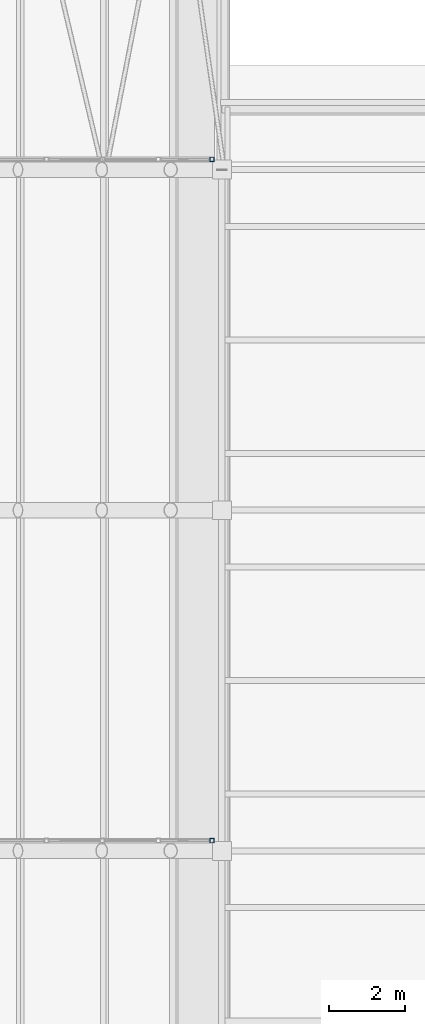
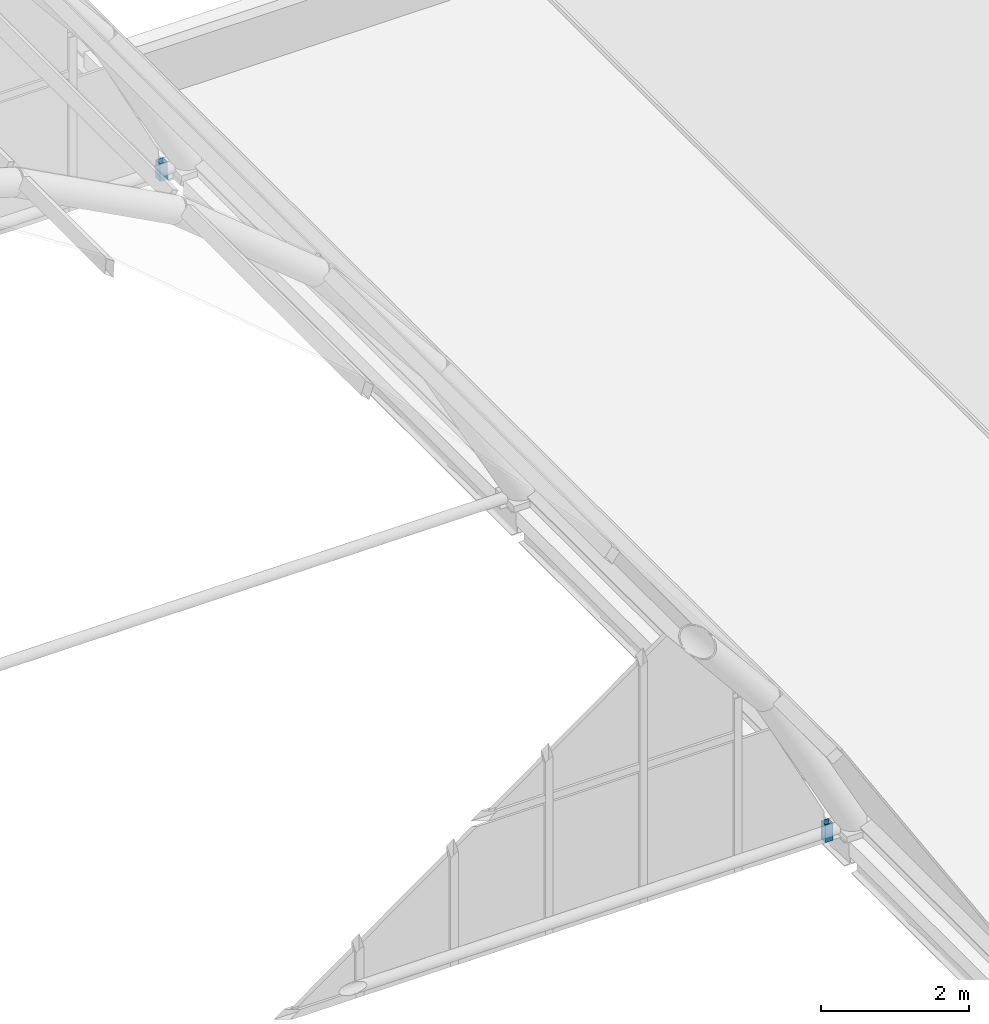
# One storey, part 67 of 121: 2 members, 2 elements without a shape of their own.
"""IFC4 building model written with IfcOpenShell, lengths in metres."""

from ifc_helpers import new_model, si_unit, direction, frame, origin, origin_2d, place, context, subcontext, project, spatial, hollow_rectangle, extrude, material, material_profile, profile_set, type_object, element, aggregate, save


model = new_model("IFC4")

# Units and contexts
model_context = context("Model", 3, precision=1e-05, world=origin(), true_north=direction((0.0, 1.0)))
body_context = subcontext(model_context, "Body", "Model", "MODEL_VIEW")
ifc_project = project(units=[si_unit("LENGTHUNIT", "METRE"), si_unit("AREAUNIT", "SQUARE_METRE"), si_unit("VOLUMEUNIT", "CUBIC_METRE"), si_unit("PLANEANGLEUNIT", "RADIAN"), si_unit("MASSUNIT", "GRAM", prefix="KILO")], contexts=[model_context])

# Site, building, storey
site_placement = place(None, origin())
site = spatial("IfcSite", under=ifc_project, at=site_placement, CompositionType="ELEMENT")
building_placement = place(site_placement, origin())
building = spatial("IfcBuilding", under=site, at=building_placement, Name="Golden Quay Civic Hall", CompositionType="ELEMENT")
storey_placement = place(building_placement, frame((0.0, 0.0, 18.60009765625)))
storey = spatial("IfcBuildingStorey", under=building, at=storey_placement, Name="L04", CompositionType="ELEMENT", Elevation=18.60009765625)

# Curtain wall, member
ifc_material_1 = material(Name="Fire-resisting glass and steel", Category="steel")
curtain_wall_type = type_object("IfcCurtainWallType", Name="Fire-resisting glazed curtain wall EI 120", PredefinedType="NOTDEFINED", material=ifc_material_1)
curtain_wall_1_placement = place(storey_placement, origin())
curtain_wall_1 = element("IfcCurtainWall", 1, at=curtain_wall_1_placement, inside=storey, type_object=curtain_wall_type, Name="Curtain wall tympanum fire2", PredefinedType="NOTDEFINED")
ifc_material_2 = material(Name="Steel S355", Category="steel")
ifc_material_profile = material_profile(ifc_material_2, hollow_rectangle(XDim=0.1201171875, YDim=0.1201171875, WallThickness=0.008056640625, at=origin_2d()), Name="SHS 120x120x8")
ifc_profile_set = profile_set([ifc_material_profile], Name="Steel S355")
member_type = type_object("IfcMemberType", Name="Fire-resisting steel mullion SHS 120x120x8", PredefinedType="MULLION", material=ifc_profile_set)
member_1_placement = place(storey_placement, frame((98.739990234375, 36.27001953125, -0.25), z_axis=(0.0, 0.0, 1.0), x_axis=(0.0, 1.0, 0.0)))
member_1 = element("IfcMember", 2, at=member_1_placement, type_object=member_type, Name="Tympanum mullion 19", PredefinedType="MULLION", context=body_context, shape_type="SweptSolid", body=[
    extrude(hollow_rectangle(XDim=0.1201171875, YDim=0.1201171875, WallThickness=0.008056640625, at=origin_2d()), origin(), (0.0, 0.0, 1.0), 0.292724609375),
])
aggregate(curtain_wall_1, [member_1])

curtain_wall_2_placement = place(storey_placement, origin())
curtain_wall_2 = element("IfcCurtainWall", 3, at=curtain_wall_2_placement, inside=storey, type_object=curtain_wall_type, Name="Curtain wall tympanum fire3", PredefinedType="NOTDEFINED")
member_2_placement = place(storey_placement, frame((98.739990234375, 54.27001953125, -0.25), z_axis=(0.0, 0.0, 1.0), x_axis=(0.0, 1.0, 0.0)))
member_2 = element("IfcMember", 4, at=member_2_placement, type_object=member_type, Name="Tympanum mullion 19", PredefinedType="MULLION", context=body_context, shape_type="SweptSolid", body=[
    extrude(hollow_rectangle(XDim=0.1201171875, YDim=0.1201171875, WallThickness=0.008056640625, at=origin_2d()), origin(), (0.0, 0.0, 1.0), 0.292724609375),
])
aggregate(curtain_wall_2, [member_2])

save(model, "model.ifc")
